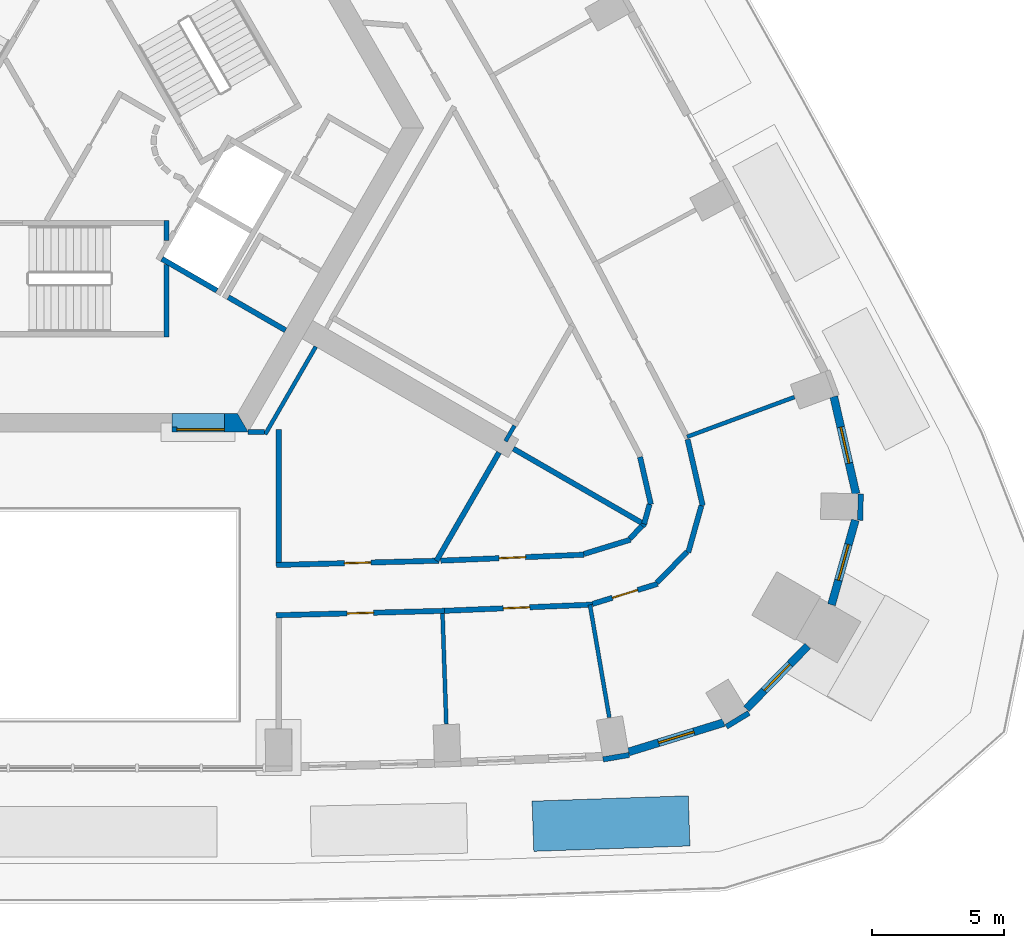
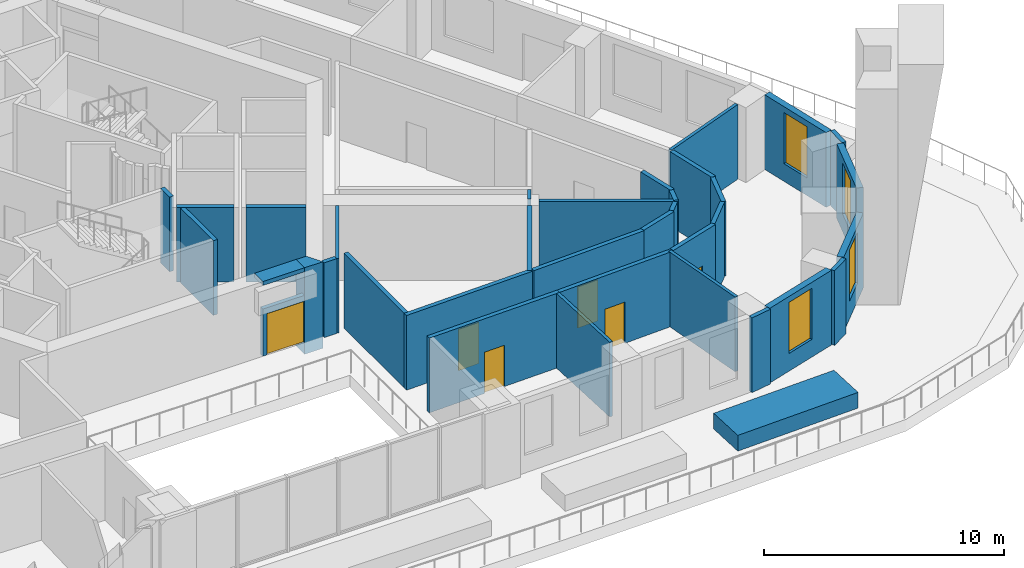
# One storey, part 6 of 13: 36 walls, 6 doors, 4 windows, 10 openings.
"""IFC4 building model written with IfcOpenShell, lengths in metres."""

from ifc_helpers import new_model, si_unit, direction, frame, frame_2d, origin, place, context, subcontext, project, spatial, polyline, rectangle, outline, extrude, material, layer, layer_set, type_object, element, fill, save


model = new_model("IFC4")

# Units and contexts
model_context = context("Model", 3, precision=1e-05, world=origin(), true_north=direction((0.0, 1.0)))
body_context = subcontext(model_context, "Body", "Model", "MODEL_VIEW")
ifc_project = project(units=[si_unit("LENGTHUNIT", "METRE"), si_unit("AREAUNIT", "SQUARE_METRE"), si_unit("VOLUMEUNIT", "CUBIC_METRE"), si_unit("PLANEANGLEUNIT", "RADIAN"), si_unit("MASSUNIT", "GRAM", prefix="KILO")], contexts=[model_context])

# Site, building, storey
site_placement = place(None, origin())
site = spatial("IfcSite", under=ifc_project, at=site_placement, CompositionType="ELEMENT")
building_placement = place(site_placement, origin())
building = spatial("IfcBuilding", under=site, at=building_placement, Name="Entoto Arch Interchange Tower", CompositionType="ELEMENT")
storey_placement = place(building_placement, frame((0.0, 0.0, 189.800048828125)))
storey = spatial("IfcBuildingStorey", under=building, at=storey_placement, Name="L42", CompositionType="ELEMENT", Elevation=189.800048828125)

# Wall, opening, door
ifc_material_1 = material(Name="Reinforced concrete C40/50", Category="concrete")
ifc_layer_1 = layer(ifc_material_1, 0.199951171875)
ifc_layer_set_1 = layer_set([ifc_layer_1], Name="Reinforced concrete C40/50")
wall_type_1 = type_object("IfcWallType", Name="CORE GAP INFILL WALL", PredefinedType="PARTITIONING", material=ifc_layer_set_1)
wall_1_placement = place(storey_placement, frame((3.75, -8.89990234375, 0.0), z_axis=(0.0, 0.0, 1.0), x_axis=(1.0, 0.0, 0.0)))
wall_1 = element("IfcWall", 1, at=wall_1_placement, inside=storey, type_object=wall_type_1, Name="wall:L42:gap1", PredefinedType="PARTITIONING", context=body_context, shape_type="SweptSolid", body=[
    extrude(rectangle(XDim=2.0, YDim=0.199951171875, at=frame_2d((1.0, 0.0))), origin(), (0.0, 0.0, 1.0), 2.39990234375),
])
opening_1_placement = place(wall_1_placement, frame((0.18994140625, 0.0, 0.0)))
opening_1 = element("IfcOpeningElement", 2, at=opening_1_placement, cuts=wall_1, Name="Opening L42-D91", PredefinedType="OPENING", context=body_context, shape_type="SweptSolid", body=[
    extrude(rectangle(XDim=1.800048828125, YDim=2.10009765625, at=frame_2d((0.89990234375, 1.050048828125))), frame((0.0, 0.10986328125, 0.0), z_axis=(0.0, -1.0, 0.0), x_axis=(1.0, 0.0, 0.0)), (0.0, 0.0, 1.0), 0.219970703125),
])
ifc_material_2 = material(Name="Fire-rated Steel S235 door and frame", Category="steel")
door_type_1 = type_object("IfcDoorType", Name="DOOR FD-18 1800x2100", OperationType="DOUBLE_DOOR_SINGLE_SWING", PredefinedType="DOOR", material=ifc_material_2)
door_1_placement = place(opening_1_placement, origin())
door_1 = element("IfcDoor", 3, at=door_1_placement, inside=storey, type_object=door_type_1, Name="door:L42:gap1", OperationType="DOUBLE_DOOR_SINGLE_SWING", OverallHeight=2.10009765625, OverallWidth=1.800048828125, PredefinedType="DOOR", context=body_context, shape_type="SweptSolid", body=[
    extrude(rectangle(XDim=1.800048828125, YDim=2.10009765625, at=frame_2d((0.89990234375, 1.050048828125))), frame((0.0, 0.02490234375, 0.0), z_axis=(0.0, -1.0, 0.0), x_axis=(1.0, 0.0, 0.0)), (0.0, 0.0, 1.0), 0.050048828125),
])
fill(opening_1, door_1)

# Walls
ifc_material_3 = material(Name="Concrete C50/60", Category="concrete")
ifc_layer_2 = layer(ifc_material_3, 0.699951171875)
ifc_layer_set_2 = layer_set([ifc_layer_2], Name="Concrete C50/60")
wall_type_2 = type_object("IfcWallType", Name="Core wall 700 C50/60", PredefinedType="SHEAR", material=ifc_layer_set_2)
wall_2_placement = place(storey_placement, frame((0.0, 0.0, -0.60009765625)))
element("IfcWall", 4, at=wall_2_placement, inside=storey, type_object=wall_type_2, Name="Core wall S L42", PredefinedType="SHEAR", context=body_context, shape_type="SweptSolid", body=[
    extrude(outline(polyline([(5.75, -8.300048828125), (5.75, -9.0), (6.639892578125, -9.0), (6.235107421875, -8.300048828125), (5.75, -8.300048828125)])), origin(), (0.0, 0.0, 1.0), 4.400146484375),
])
wall_3_placement = place(storey_placement, frame((0.0, 0.0, 3.599853515625)))
element("IfcWall", 5, at=wall_3_placement, inside=storey, type_object=wall_type_2, Name="Core wall lintel S L42", PredefinedType="SHEAR", context=body_context, shape_type="SweptSolid", body=[
    extrude(outline(polyline([(5.75, -9.0), (5.75, -8.300048828125), (3.75, -8.300048828125), (3.75, -9.0), (5.75, -9.0)])), origin(), (0.0, 0.0, 1.0), 0.2001953125),
])
ifc_material_4 = material(Name="Concrete C40/50", Category="concrete")
ifc_layer_3 = layer(ifc_material_4, 0.199951171875)
ifc_layer_set_3 = layer_set([ifc_layer_3], Name="Concrete C40/50")
wall_type_3 = type_object("IfcWallType", Name="LIFT SHAFT WALL 200", PredefinedType="STANDARD", material=ifc_layer_set_3)
wall_4_placement = place(storey_placement, frame((3.376953125, -2.451904296875, 0.0), z_axis=(0.0, 0.0, 1.0), x_axis=(0.865955154139, -0.50012165622, 0.0)))
element("IfcWall", 6, at=wall_4_placement, inside=storey, type_object=wall_type_3, Name="Shaft wall SE1 cross 1", PredefinedType="STANDARD", context=body_context, shape_type="SweptSolid", body=[
    extrude(rectangle(XDim=2.39990234375, YDim=0.199951171875, at=frame_2d((1.199951171875, 0.0))), origin(), (0.0, 0.0, 1.0), 3.800048828125),
])
ifc_material_5 = material(Name="Gypsum board partition on steel studs", Category="steel")
ifc_layer_4 = layer(ifc_material_5, 0.14990234375)
ifc_layer_set_4 = layer_set([ifc_layer_4], Name="Gypsum board partition on steel studs")
wall_type_4 = type_object("IfcWallType", Name="PARTITION 150", PredefinedType="PARTITIONING", material=ifc_layer_set_4)
wall_5_placement = place(storey_placement, frame((7.282958984375, -9.0859375, 0.0), z_axis=(0.0, 0.0, 1.0), x_axis=(0.499843936326, 0.866115488442, 0.0)))
element("IfcWall", 7, at=wall_5_placement, inside=storey, type_object=wall_type_4, Name="wall:L42:p080", PredefinedType="PARTITIONING", context=body_context, shape_type="SweptSolid", body=[
    extrude(rectangle(XDim=3.827392578125, YDim=0.14990234375, at=frame_2d((1.91357421875, 0.0))), origin(), (0.0, 0.0, 1.0), 3.800048828125),
])
wall_6_placement = place(storey_placement, frame((16.7099609375, -8.758056640625, 0.0), z_axis=(0.0, 0.0, 1.0), x_axis=(-0.500013496215, -0.866017611601, 0.0)))
element("IfcWall", 8, at=wall_6_placement, inside=storey, type_object=wall_type_4, Name="wall:L42:p105", PredefinedType="PARTITIONING", context=body_context, shape_type="SweptSolid", body=[
    extrude(rectangle(XDim=0.677734375, YDim=0.14990234375, at=frame_2d((0.3388671875, 0.0))), origin(), (0.0, 0.0, 1.0), 3.800048828125),
])
wall_7_placement = place(storey_placement, frame((13.988037109375, -15.862060546875, 0.0), z_axis=(0.0, 0.0, 1.0), x_axis=(0.033931247732, -0.999424169423, 0.0)))
element("IfcWall", 9, at=wall_7_placement, inside=storey, type_object=wall_type_4, Name="wall:L42:p108", PredefinedType="PARTITIONING", context=body_context, shape_type="SweptSolid", body=[
    extrude(rectangle(XDim=4.180419921875, YDim=0.14990234375, at=frame_2d((2.09033203125, 0.0))), origin(), (0.0, 0.0, 1.0), 3.800048828125),
])
wall_8_placement = place(storey_placement, frame((19.56103515625, -15.529052734375, 0.0), z_axis=(0.0, 0.0, 1.0), x_axis=(0.169546150064, -0.98552224886, 0.0)))
element("IfcWall", 10, at=wall_8_placement, inside=storey, type_object=wall_type_4, Name="wall:L42:p109", PredefinedType="PARTITIONING", context=body_context, shape_type="SweptSolid", body=[
    extrude(rectangle(XDim=4.32861328125, YDim=0.14990234375, at=frame_2d((2.164306640625, 0.0))), origin(), (0.0, 0.0, 1.0), 3.800048828125),
])
wall_9_placement = place(storey_placement, frame((23.23095703125, -9.181884765625, 0.0), z_axis=(0.0, 0.0, 1.0), x_axis=(0.937835784628, 0.34707930084, 0.0)))
element("IfcWall", 11, at=wall_9_placement, inside=storey, type_object=wall_type_4, Name="wall:L42:p110", PredefinedType="PARTITIONING", context=body_context, shape_type="SweptSolid", body=[
    extrude(rectangle(XDim=4.330322265625, YDim=0.14990234375, at=frame_2d((2.1650390625, 0.0))), origin(), (0.0, 0.0, 1.0), 3.800048828125),
])

# Wall, opening, door
ifc_layer_5 = layer(ifc_material_5, 0.199951171875)
ifc_layer_set_5 = layer_set([ifc_layer_5], Name="Gypsum board partition on steel studs")
wall_type_5 = type_object("IfcWallType", Name="PARTITION 200", PredefinedType="PARTITIONING", material=ifc_layer_set_5)
wall_10_placement = place(storey_placement, frame((7.699951171875, -14.027099609375, 0.0), z_axis=(0.0, 0.0, 1.0), x_axis=(0.999653919353, 0.026306682088, 0.0)))
wall_10 = element("IfcWall", 12, at=wall_10_placement, inside=storey, type_object=wall_type_5, Name="wall:L42:p017", PredefinedType="PARTITIONING", context=body_context, shape_type="SweptSolid", body=[
    extrude(rectangle(XDim=6.162353515625, YDim=0.199951171875, at=frame_2d((3.0810546875, 0.0))), origin(), (0.0, 0.0, 1.0), 3.800048828125),
])
opening_2_placement = place(wall_10_placement, frame((2.5810546875, 0.0, 0.0)))
opening_2 = element("IfcOpeningElement", 13, at=opening_2_placement, cuts=wall_10, Name="Opening L42-D17", PredefinedType="OPENING", context=body_context, shape_type="SweptSolid", body=[
    extrude(rectangle(XDim=1.0, YDim=2.10009765625, at=frame_2d((0.5, 1.050048828125))), frame((0.0, 0.10986328125, 0.0), z_axis=(0.0, -1.0, 0.0), x_axis=(1.0, 0.0, 0.0)), (0.0, 0.0, 1.0), 0.219970703125),
])
ifc_material_6 = material(Name="Timber door leaf in Steel S235 frame", Category="steel")
door_type_2 = type_object("IfcDoorType", Name="DOOR DS-10 1000x2100", OperationType="SINGLE_SWING_LEFT", PredefinedType="DOOR", material=ifc_material_6)
door_2_placement = place(opening_2_placement, origin())
door_2 = element("IfcDoor", 14, at=door_2_placement, inside=storey, type_object=door_type_2, Name="door:L42:17", OperationType="SINGLE_SWING_LEFT", OverallHeight=2.10009765625, OverallWidth=1.0, PredefinedType="DOOR", context=body_context, shape_type="SweptSolid", body=[
    extrude(rectangle(XDim=1.0, YDim=2.10009765625, at=frame_2d((0.5, 1.050048828125))), frame((0.0, 0.02490234375, 0.0), z_axis=(0.0, -1.0, 0.0), x_axis=(1.0, 0.0, 0.0)), (0.0, 0.0, 1.0), 0.050048828125),
])
fill(opening_2, door_2)

wall_11_placement = place(storey_placement, frame((13.9189453125, -13.863037109375, 0.0), z_axis=(0.0, 0.0, 1.0), x_axis=(0.999130261307, 0.041697972867, 0.0)))
wall_11 = element("IfcWall", 15, at=wall_11_placement, inside=storey, type_object=wall_type_5, Name="wall:L42:p020", PredefinedType="PARTITIONING", context=body_context, shape_type="SweptSolid", body=[
    extrude(rectangle(XDim=5.421630859375, YDim=0.199951171875, at=frame_2d((2.7109375, 0.0))), origin(), (0.0, 0.0, 1.0), 3.800048828125),
])
opening_3_placement = place(wall_11_placement, frame((2.2109375, 0.0, 0.0)))
opening_3 = element("IfcOpeningElement", 16, at=opening_3_placement, cuts=wall_11, Name="Opening L42-D19", PredefinedType="OPENING", context=body_context, shape_type="SweptSolid", body=[
    extrude(rectangle(XDim=1.0, YDim=2.10009765625, at=frame_2d((0.5, 1.050048828125))), frame((0.0, 0.10986328125, 0.0), z_axis=(0.0, -1.0, 0.0), x_axis=(1.0, 0.0, 0.0)), (0.0, 0.0, 1.0), 0.219970703125),
])
door_3_placement = place(opening_3_placement, origin())
door_3 = element("IfcDoor", 17, at=door_3_placement, inside=storey, type_object=door_type_2, Name="door:L42:19", OperationType="SINGLE_SWING_LEFT", OverallHeight=2.10009765625, OverallWidth=1.0, PredefinedType="DOOR", context=body_context, shape_type="SweptSolid", body=[
    extrude(rectangle(XDim=1.0, YDim=2.10009765625, at=frame_2d((0.5, 1.050048828125))), frame((0.0, 0.02490234375, 0.0), z_axis=(0.0, -1.0, 0.0), x_axis=(1.0, 0.0, 0.0)), (0.0, 0.0, 1.0), 0.050048828125),
])
fill(opening_3, door_3)

# Walls
wall_12_placement = place(storey_placement, frame((19.33203125, -13.611083984375, 0.0), z_axis=(0.0, 0.0, 1.0), x_axis=(0.955790442908, 0.294048685161, 0.0)))
element("IfcWall", 18, at=wall_12_placement, inside=storey, type_object=wall_type_5, Name="wall:L42:p021", PredefinedType="PARTITIONING", context=body_context, shape_type="SweptSolid", body=[
    extrude(rectangle(XDim=1.846435546875, YDim=0.199951171875, at=frame_2d((0.92333984375, 0.0))), origin(), (0.0, 0.0, 1.0), 3.800048828125),
])
wall_13_placement = place(storey_placement, frame((21.072021484375, -13.02587890625, 0.0), z_axis=(0.0, 0.0, 1.0), x_axis=(0.697252405765, 0.716825698936, 0.0)))
element("IfcWall", 19, at=wall_13_placement, inside=storey, type_object=wall_type_5, Name="wall:L42:p022", PredefinedType="PARTITIONING", context=body_context, shape_type="SweptSolid", body=[
    extrude(rectangle(XDim=0.6611328125, YDim=0.199951171875, at=frame_2d((0.33056640625, 0.0))), origin(), (0.0, 0.0, 1.0), 3.800048828125),
])
wall_14_placement = place(storey_placement, frame((21.60791015625, -12.47607421875, 0.0), z_axis=(0.0, 0.0, 1.0), x_axis=(0.270277025631, 0.962782597171, 0.0)))
element("IfcWall", 20, at=wall_14_placement, inside=storey, type_object=wall_type_5, Name="wall:L42:p023", PredefinedType="PARTITIONING", context=body_context, shape_type="SweptSolid", body=[
    extrude(rectangle(XDim=0.76953125, YDim=0.199951171875, at=frame_2d((0.384765625, 0.0))), origin(), (0.0, 0.0, 1.0), 3.800048828125),
])
wall_15_placement = place(storey_placement, frame((21.865966796875, -11.737060546875, 0.0), z_axis=(0.0, 0.0, 1.0), x_axis=(-0.222871656966, 0.974847795567, 0.0)))
element("IfcWall", 21, at=wall_15_placement, inside=storey, type_object=wall_type_5, Name="wall:L42:p024", PredefinedType="PARTITIONING", context=body_context, shape_type="SweptSolid", body=[
    extrude(rectangle(XDim=1.839111328125, YDim=0.199951171875, at=frame_2d((0.91943359375, 0.0))), origin(), (0.0, 0.0, 1.0), 3.800048828125),
])

# Wall, opening, door
wall_16_placement = place(storey_placement, frame((14.05908203125, -15.760009765625, 0.0), z_axis=(0.0, 0.0, 1.0), x_axis=(-0.999651338269, -0.026404580978, 0.0)))
wall_16 = element("IfcWall", 22, at=wall_16_placement, inside=storey, type_object=wall_type_5, Name="wall:L42:p035", PredefinedType="PARTITIONING", context=body_context, shape_type="SweptSolid", body=[
    extrude(rectangle(XDim=6.361328125, YDim=0.199951171875, at=frame_2d((3.1806640625, 0.0))), origin(), (0.0, 0.0, 1.0), 3.800048828125),
])
opening_4_placement = place(wall_16_placement, frame((2.680908203125, 0.0, 0.0)))
opening_4 = element("IfcOpeningElement", 23, at=opening_4_placement, cuts=wall_16, Name="Opening L42-D01", PredefinedType="OPENING", context=body_context, shape_type="SweptSolid", body=[
    extrude(rectangle(XDim=1.0, YDim=2.10009765625, at=frame_2d((0.5, 1.050048828125))), frame((0.0, 0.10986328125, 0.0), z_axis=(0.0, -1.0, 0.0), x_axis=(1.0, 0.0, 0.0)), (0.0, 0.0, 1.0), 0.219970703125),
])
door_4_placement = place(opening_4_placement, origin())
door_4 = element("IfcDoor", 24, at=door_4_placement, inside=storey, type_object=door_type_2, Name="door:L42:01", OperationType="SINGLE_SWING_LEFT", OverallHeight=2.10009765625, OverallWidth=1.0, PredefinedType="DOOR", context=body_context, shape_type="SweptSolid", body=[
    extrude(rectangle(XDim=1.0, YDim=2.10009765625, at=frame_2d((0.5, 1.050048828125))), frame((0.0, 0.02490234375, 0.0), z_axis=(0.0, -1.0, 0.0), x_axis=(1.0, 0.0, 0.0)), (0.0, 0.0, 1.0), 0.050048828125),
])
fill(opening_4, door_4)

wall_17_placement = place(storey_placement, frame((19.660888671875, -15.52490234375, 0.0), z_axis=(0.0, 0.0, 1.0), x_axis=(-0.999127706659, -0.041759140148, 0.0)))
wall_17 = element("IfcWall", 25, at=wall_17_placement, inside=storey, type_object=wall_type_5, Name="wall:L42:p036", PredefinedType="PARTITIONING", context=body_context, shape_type="SweptSolid", body=[
    extrude(rectangle(XDim=5.606689453125, YDim=0.199951171875, at=frame_2d((2.80322265625, 0.0))), origin(), (0.0, 0.0, 1.0), 3.800048828125),
])
opening_5_placement = place(wall_17_placement, frame((2.3779296875, 0.0, 0.0)))
opening_5 = element("IfcOpeningElement", 26, at=opening_5_placement, cuts=wall_17, Name="Opening L42-D02", PredefinedType="OPENING", context=body_context, shape_type="SweptSolid", body=[
    extrude(rectangle(XDim=1.0, YDim=2.10009765625, at=frame_2d((0.5, 1.050048828125))), frame((0.0, 0.10986328125, 0.0), z_axis=(0.0, -1.0, 0.0), x_axis=(1.0, 0.0, 0.0)), (0.0, 0.0, 1.0), 0.219970703125),
])
door_5_placement = place(opening_5_placement, origin())
door_5 = element("IfcDoor", 27, at=door_5_placement, inside=storey, type_object=door_type_2, Name="door:L42:02", OperationType="SINGLE_SWING_LEFT", OverallHeight=2.10009765625, OverallWidth=1.0, PredefinedType="DOOR", context=body_context, shape_type="SweptSolid", body=[
    extrude(rectangle(XDim=1.0, YDim=2.10009765625, at=frame_2d((0.5, 1.050048828125))), frame((0.0, 0.02490234375, 0.0), z_axis=(0.0, -1.0, 0.0), x_axis=(1.0, 0.0, 0.0)), (0.0, 0.0, 1.0), 0.050048828125),
])
fill(opening_5, door_5)

# Walls
wall_18_placement = place(storey_placement, frame((23.2529296875, -9.279052734375, 0.0), z_axis=(0.0, 0.0, 1.0), x_axis=(0.222909903746, -0.974839050722, 0.0)))
element("IfcWall", 28, at=wall_18_placement, inside=storey, type_object=wall_type_5, Name="wall:L42:p037", PredefinedType="PARTITIONING", context=body_context, shape_type="SweptSolid", body=[
    extrude(rectangle(XDim=2.570556640625, YDim=0.199951171875, at=frame_2d((1.28515625, 0.0))), origin(), (0.0, 0.0, 1.0), 3.800048828125),
])
wall_19_placement = place(storey_placement, frame((23.77587890625, -11.783935546875, 0.0), z_axis=(0.0, 0.0, 1.0), x_axis=(-0.270522287318, -0.962713712411, 0.0)))
element("IfcWall", 29, at=wall_19_placement, inside=storey, type_object=wall_type_5, Name="wall:L42:p038", PredefinedType="PARTITIONING", context=body_context, shape_type="SweptSolid", body=[
    extrude(rectangle(XDim=1.83642578125, YDim=0.199951171875, at=frame_2d((0.918212890625, 0.0))), origin(), (0.0, 0.0, 1.0), 3.800048828125),
])
wall_20_placement = place(storey_placement, frame((23.236083984375, -13.528076171875, 0.0), z_axis=(0.0, 0.0, 1.0), x_axis=(-0.698551276451, -0.715560000397, 0.0)))
element("IfcWall", 30, at=wall_20_placement, inside=storey, type_object=wall_type_5, Name="wall:L42:p039", PredefinedType="PARTITIONING", context=body_context, shape_type="SweptSolid", body=[
    extrude(rectangle(XDim=1.63623046875, YDim=0.199951171875, at=frame_2d((0.818115234375, 0.0))), origin(), (0.0, 0.0, 1.0), 3.800048828125),
])

# Wall, opening, door
wall_21_placement = place(storey_placement, frame((22.118896484375, -14.740966796875, 0.0), z_axis=(0.0, 0.0, 1.0), x_axis=(-0.955612889251, -0.294625195625, 0.0)))
wall_21 = element("IfcWall", 31, at=wall_21_placement, inside=storey, type_object=wall_type_5, Name="wall:L42:p040", PredefinedType="PARTITIONING", context=body_context, shape_type="SweptSolid", body=[
    extrude(rectangle(XDim=2.576171875, YDim=0.199951171875, at=frame_2d((1.2880859375, 0.0))), origin(), (0.0, 0.0, 1.0), 3.800048828125),
])
opening_6_placement = place(wall_21_placement, frame((0.7880859375, 0.0, 0.0)))
opening_6 = element("IfcOpeningElement", 32, at=opening_6_placement, cuts=wall_21, Name="Opening L42-D03", PredefinedType="OPENING", context=body_context, shape_type="SweptSolid", body=[
    extrude(rectangle(XDim=1.0, YDim=2.10009765625, at=frame_2d((0.5, 1.050048828125))), frame((0.0, 0.10986328125, 0.0), z_axis=(0.0, -1.0, 0.0), x_axis=(1.0, 0.0, 0.0)), (0.0, 0.0, 1.0), 0.219970703125),
])
door_6_placement = place(opening_6_placement, origin())
door_6 = element("IfcDoor", 33, at=door_6_placement, inside=storey, type_object=door_type_2, Name="door:L42:03", OperationType="SINGLE_SWING_LEFT", OverallHeight=2.10009765625, OverallWidth=1.0, PredefinedType="DOOR", context=body_context, shape_type="SweptSolid", body=[
    extrude(rectangle(XDim=1.0, YDim=2.10009765625, at=frame_2d((0.5, 1.050048828125))), frame((0.0, 0.02490234375, 0.0), z_axis=(0.0, -1.0, 0.0), x_axis=(1.0, 0.0, 0.0)), (0.0, 0.0, 1.0), 0.050048828125),
])
fill(opening_6, door_6)

# Walls
wall_22_placement = place(storey_placement, frame((8.052978515625, -5.152099609375, 0.0), z_axis=(0.0, 0.0, 1.0), x_axis=(-0.866022959057, 0.500004234368, 0.0)))
element("IfcWall", 34, at=wall_22_placement, inside=storey, type_object=wall_type_5, Name="wall:L42:p071", PredefinedType="PARTITIONING", context=body_context, shape_type="SweptSolid", body=[
    extrude(rectangle(XDim=2.5, YDim=0.199951171875, at=frame_2d((1.25, 0.0))), origin(), (0.0, 0.0, 1.0), 3.800048828125),
])
wall_23_placement = place(storey_placement, frame((6.64111328125, -8.9990234375, 0.0), z_axis=(0.0, 0.0, 1.0), x_axis=(1.0, 0.0, 0.0)))
element("IfcWall", 35, at=wall_23_placement, inside=storey, type_object=wall_type_5, Name="wall:L42:p079", PredefinedType="PARTITIONING", context=body_context, shape_type="SweptSolid", body=[
    extrude(rectangle(XDim=0.616943359375, YDim=0.199951171875, at=frame_2d((0.30859375, 0.0))), origin(), (0.0, 0.0, 1.0), 3.800048828125),
])
wall_24_placement = place(storey_placement, frame((7.800048828125, -8.89892578125, 0.0), z_axis=(0.0, 0.0, 1.0), x_axis=(0.0, -1.0, 0.0)))
element("IfcWall", 36, at=wall_24_placement, inside=storey, type_object=wall_type_5, Name="wall:L42:p094", PredefinedType="PARTITIONING", context=body_context, shape_type="SweptSolid", body=[
    extrude(rectangle(XDim=5.025146484375, YDim=0.199951171875, at=frame_2d((2.5126953125, 0.0))), origin(), (0.0, 0.0, 1.0), 3.800048828125),
])
wall_25_placement = place(storey_placement, frame((16.125, -9.77099609375, 0.0), z_axis=(0.0, 0.0, 1.0), x_axis=(-0.500030759312, -0.866007644159, 0.0)))
element("IfcWall", 37, at=wall_25_placement, inside=storey, type_object=wall_type_5, Name="wall:L42:p104", PredefinedType="PARTITIONING", context=body_context, shape_type="SweptSolid", body=[
    extrude(rectangle(XDim=4.729736328125, YDim=0.199951171875, at=frame_2d((2.36474609375, 0.0))), origin(), (0.0, 0.0, 1.0), 3.800048828125),
])
wall_26_placement = place(storey_placement, frame((16.6669921875, -9.631103515625, 0.0), z_axis=(0.0, 0.0, 1.0), x_axis=(0.866032775405, -0.499987231761, 0.0)))
element("IfcWall", 38, at=wall_26_placement, inside=storey, type_object=wall_type_5, Name="wall:L42:p107", PredefinedType="PARTITIONING", context=body_context, shape_type="SweptSolid", body=[
    extrude(rectangle(XDim=5.800048828125, YDim=0.199951171875, at=frame_2d((2.89990234375, 0.0))), origin(), (0.0, 0.0, 1.0), 3.800048828125),
])
ifc_material_7 = material(Name="Board-marked precast concrete C50/60", Category="concrete")
ifc_layer_6 = layer(ifc_material_7, 1.89990234375)
ifc_layer_set_6 = layer_set([ifc_layer_6], Name="Board-marked precast concrete C50/60")
wall_type_6 = type_object("IfcWallType", Name="PLANTER RC 1900 Olea europaea subsp. cuspidata", PredefinedType="STANDARD", material=ifc_layer_set_6)
wall_27_placement = place(storey_placement, frame((17.406005859375, -23.905029296875, 0.0), z_axis=(0.0, 0.0, 1.0), x_axis=(0.999408891177, 0.034378310558, 0.0)))
element("IfcWall", 39, at=wall_27_placement, inside=storey, type_object=wall_type_6, Name="Terrace planter S-05 L42", PredefinedType="STANDARD", context=body_context, shape_type="SweptSolid", body=[
    extrude(rectangle(XDim=5.908447265625, YDim=1.89990234375, at=frame_2d((2.9541015625, 0.0))), origin(), (0.0, 0.0, 1.0), 0.800048828125),
])
ifc_layer_7 = layer(ifc_material_4, 0.199951171875)
ifc_layer_set_7 = layer_set([ifc_layer_7], Name="Concrete C40/50")
wall_type_7 = type_object("IfcWallType", Name="STAIR ENCLOSURE WALL 200", PredefinedType="STANDARD", material=ifc_layer_set_7)
wall_28_placement = place(storey_placement, frame((3.550048828125, -2.6669921875, 0.0), z_axis=(0.0, 0.0, 1.0), x_axis=(0.0, -1.0, 0.0)))
element("IfcWall", 40, at=wall_28_placement, inside=storey, type_object=wall_type_7, Name="Stair wall ST-S far", PredefinedType="STANDARD", context=body_context, shape_type="SweptSolid", body=[
    extrude(rectangle(XDim=2.73291015625, YDim=0.199951171875, at=frame_2d((1.366455078125, 0.0))), origin(), (0.0, 0.0, 1.0), 3.800048828125),
])
wall_29_placement = place(storey_placement, frame((3.550048828125, -1.0, 0.0), z_axis=(0.0, 0.0, 1.0), x_axis=(0.0, -1.0, 0.0)))
element("IfcWall", 41, at=wall_29_placement, inside=storey, type_object=wall_type_7, Name="Stair wall ST-S far return", PredefinedType="STANDARD", context=body_context, shape_type="SweptSolid", body=[
    extrude(rectangle(XDim=0.7509765625, YDim=0.199951171875, at=frame_2d((0.37548828125, 0.0))), origin(), (0.0, 0.0, 1.0), 3.800048828125),
])

# Wall, opening, window
ifc_material_8 = material(Name="Welded tuff (ignimbrite) cladding, warm buff", Category="masonry")
ifc_layer_8 = layer(ifc_material_8, 0.300048828125)
ifc_layer_set_8 = layer_set([ifc_layer_8], Name="Welded tuff (ignimbrite) cladding, warm buff")
wall_type_8 = type_object("IfcWallType", Name="STONE INFILL WALL 300", PredefinedType="STANDARD", material=ifc_layer_set_8)
wall_30_placement = place(storey_placement, frame((21.02392578125, -21.094970703125, 0.0), z_axis=(0.0, 0.0, 1.0), x_axis=(0.955692086233, 0.29436819854, 0.0)))
wall_30 = element("IfcWall", 42, at=wall_30_placement, inside=storey, type_object=wall_type_8, Name="Facade wall SE-01 L42", PredefinedType="STANDARD", context=body_context, shape_type="SweptSolid", body=[
    extrude(rectangle(XDim=3.76708984375, YDim=0.300048828125, at=frame_2d((1.883544921875, 0.0))), origin(), (0.0, 0.0, 1.0), 3.800048828125),
])
opening_7_placement = place(wall_30_placement, frame((1.18310546875, 0.0, 0.89990234375)))
opening_7 = element("IfcOpeningElement", 43, at=opening_7_placement, cuts=wall_30, Name="Opening WO-B", PredefinedType="OPENING", context=body_context, shape_type="SweptSolid", body=[
    extrude(rectangle(XDim=1.39990234375, YDim=2.60009765625, at=frame_2d((0.699951171875, 1.300048828125))), frame((0.0, 0.16015625, 0.0), z_axis=(0.0, -1.0, 0.0), x_axis=(1.0, 0.0, 0.0)), (0.0, 0.0, 1.0), 0.320068359375),
])
ifc_material_9 = material(Name="Clear glass, low-e double glazed", Category="glass")
window_type = type_object("IfcWindowType", Name="WINDOW WO-B 1400x2600", PartitioningType="DOUBLE_PANEL_VERTICAL", PredefinedType="WINDOW", material=ifc_material_9)
window_1_placement = place(opening_7_placement, origin())
window_1 = element("IfcWindow", 44, at=window_1_placement, inside=storey, type_object=window_type, Name="Window WO-B SE-01 L42", OverallHeight=2.60009765625, OverallWidth=1.39990234375, PartitioningType="SINGLE_PANEL", PredefinedType="WINDOW", context=body_context, shape_type="SweptSolid", body=[
    extrude(rectangle(XDim=1.39990234375, YDim=2.60009765625, at=frame_2d((0.699951171875, 1.300048828125))), frame((0.0, 0.030029296875, 0.0), z_axis=(0.0, -1.0, 0.0), x_axis=(1.0, 0.0, 0.0)), (0.0, 0.0, 1.0), 0.06005859375),
])
fill(opening_7, window_1)

wall_31_placement = place(storey_placement, frame((25.47607421875, -19.466064453125, 0.0), z_axis=(0.0, 0.0, 1.0), x_axis=(0.698311919602, 0.71579358962, 0.0)))
wall_31 = element("IfcWall", 45, at=wall_31_placement, inside=storey, type_object=wall_type_8, Name="Facade wall SE-02 L42", PredefinedType="STANDARD", context=body_context, shape_type="SweptSolid", body=[
    extrude(rectangle(XDim=3.32373046875, YDim=0.300048828125, at=frame_2d((1.661865234375, 0.0))), origin(), (0.0, 0.0, 1.0), 3.800048828125),
])
opening_8_placement = place(wall_31_placement, frame((0.9619140625, 0.0, 0.89990234375)))
opening_8 = element("IfcOpeningElement", 46, at=opening_8_placement, cuts=wall_31, Name="Opening WO-B", PredefinedType="OPENING", context=body_context, shape_type="SweptSolid", body=[
    extrude(rectangle(XDim=1.39990234375, YDim=2.60009765625, at=frame_2d((0.699951171875, 1.300048828125))), frame((0.0, 0.16015625, 0.0), z_axis=(0.0, -1.0, 0.0), x_axis=(1.0, 0.0, 0.0)), (0.0, 0.0, 1.0), 0.320068359375),
])
window_2_placement = place(opening_8_placement, origin())
window_2 = element("IfcWindow", 47, at=window_2_placement, inside=storey, type_object=window_type, Name="Window WO-B SE-02 L42", OverallHeight=2.60009765625, OverallWidth=1.39990234375, PartitioningType="SINGLE_PANEL", PredefinedType="WINDOW", context=body_context, shape_type="SweptSolid", body=[
    extrude(rectangle(XDim=1.39990234375, YDim=2.60009765625, at=frame_2d((0.699951171875, 1.300048828125))), frame((0.0, 0.030029296875, 0.0), z_axis=(0.0, -1.0, 0.0), x_axis=(1.0, 0.0, 0.0)), (0.0, 0.0, 1.0), 0.06005859375),
])
fill(opening_8, window_2)

wall_32_placement = place(storey_placement, frame((28.696044921875, -15.529052734375, 0.0), z_axis=(0.0, 0.0, 1.0), x_axis=(0.270798765166, 0.962635979374, 0.0)))
wall_32 = element("IfcWall", 48, at=wall_32_placement, inside=storey, type_object=wall_type_8, Name="Facade wall SE-03 L42", PredefinedType="STANDARD", context=body_context, shape_type="SweptSolid", body=[
    extrude(rectangle(XDim=3.3232421875, YDim=0.300048828125, at=frame_2d((1.66162109375, 0.0))), origin(), (0.0, 0.0, 1.0), 3.800048828125),
])
opening_9_placement = place(wall_32_placement, frame((0.9619140625, 0.0, 0.89990234375)))
opening_9 = element("IfcOpeningElement", 49, at=opening_9_placement, cuts=wall_32, Name="Opening WO-B", PredefinedType="OPENING", context=body_context, shape_type="SweptSolid", body=[
    extrude(rectangle(XDim=1.39990234375, YDim=2.60009765625, at=frame_2d((0.699951171875, 1.300048828125))), frame((0.0, 0.16015625, 0.0), z_axis=(0.0, -1.0, 0.0), x_axis=(1.0, 0.0, 0.0)), (0.0, 0.0, 1.0), 0.320068359375),
])
window_3_placement = place(opening_9_placement, origin())
window_3 = element("IfcWindow", 50, at=window_3_placement, inside=storey, type_object=window_type, Name="Window WO-B SE-03 L42", OverallHeight=2.60009765625, OverallWidth=1.39990234375, PartitioningType="SINGLE_PANEL", PredefinedType="WINDOW", context=body_context, shape_type="SweptSolid", body=[
    extrude(rectangle(XDim=1.39990234375, YDim=2.60009765625, at=frame_2d((0.699951171875, 1.300048828125))), frame((0.0, 0.030029296875, 0.0), z_axis=(0.0, -1.0, 0.0), x_axis=(1.0, 0.0, 0.0)), (0.0, 0.0, 1.0), 0.06005859375),
])
fill(opening_9, window_3)

wall_33_placement = place(storey_placement, frame((29.62109375, -11.33203125, 0.0), z_axis=(0.0, 0.0, 1.0), x_axis=(-0.223013094864, 0.974815448954, 0.0)))
wall_33 = element("IfcWall", 51, at=wall_33_placement, inside=storey, type_object=wall_type_8, Name="Facade wall SE-04 L42", PredefinedType="STANDARD", context=body_context, shape_type="SweptSolid", body=[
    extrude(rectangle(XDim=3.76708984375, YDim=0.300048828125, at=frame_2d((1.883544921875, 0.0))), origin(), (0.0, 0.0, 1.0), 3.800048828125),
])
opening_10_placement = place(wall_33_placement, frame((1.18310546875, 0.0, 0.89990234375)))
opening_10 = element("IfcOpeningElement", 52, at=opening_10_placement, cuts=wall_33, Name="Opening WO-B", PredefinedType="OPENING", context=body_context, shape_type="SweptSolid", body=[
    extrude(rectangle(XDim=1.39990234375, YDim=2.60009765625, at=frame_2d((0.699951171875, 1.300048828125))), frame((0.0, 0.16015625, 0.0), z_axis=(0.0, -1.0, 0.0), x_axis=(1.0, 0.0, 0.0)), (0.0, 0.0, 1.0), 0.320068359375),
])
window_4_placement = place(opening_10_placement, origin())
window_4 = element("IfcWindow", 53, at=window_4_placement, inside=storey, type_object=window_type, Name="Window WO-B SE-04 L42", OverallHeight=2.60009765625, OverallWidth=1.39990234375, PartitioningType="SINGLE_PANEL", PredefinedType="WINDOW", context=body_context, shape_type="SweptSolid", body=[
    extrude(rectangle(XDim=1.39990234375, YDim=2.60009765625, at=frame_2d((0.699951171875, 1.300048828125))), frame((0.0, 0.030029296875, 0.0), z_axis=(0.0, -1.0, 0.0), x_axis=(1.0, 0.0, 0.0)), (0.0, 0.0, 1.0), 0.06005859375),
])
fill(opening_10, window_4)

# Walls
ifc_layer_9 = layer(ifc_material_8, 0.199951171875)
ifc_layer_set_9 = layer_set([ifc_layer_9], Name="Welded tuff (ignimbrite) cladding, warm buff")
wall_type_9 = type_object("IfcWallType", Name="STONE PIER CLADDING 200", PredefinedType="STANDARD", material=ifc_layer_set_9)
wall_34_placement = place(storey_placement, frame((20.05908203125, -21.3779296875, 0.0), z_axis=(0.0, 0.0, 1.0), x_axis=(0.985631544579, 0.168909615862, 0.0)))
element("IfcWall", 54, at=wall_34_placement, inside=storey, type_object=wall_type_9, Name="Stone pier S06 L42", PredefinedType="STANDARD", context=body_context, shape_type="SweptSolid", body=[
    extrude(rectangle(XDim=1.000244140625, YDim=0.199951171875, at=frame_2d((0.5, 0.0))), origin(), (0.0, 0.0, 1.0), 3.800048828125),
])
wall_35_placement = place(storey_placement, frame((24.718017578125, -20.14208984375, 0.0), z_axis=(0.0, 0.0, 1.0), x_axis=(0.853679739553, 0.520798331677, 0.0)))
element("IfcWall", 55, at=wall_35_placement, inside=storey, type_object=wall_type_9, Name="Stone pier SE1 L42", PredefinedType="STANDARD", context=body_context, shape_type="SweptSolid", body=[
    extrude(rectangle(XDim=1.00048828125, YDim=0.199951171875, at=frame_2d((0.500244140625, 0.0))), origin(), (0.0, 0.0, 1.0), 3.800048828125),
])
wall_36_placement = place(storey_placement, frame((29.778076171875, -12.3349609375, 0.0), z_axis=(0.0, 0.0, 1.0), x_axis=(0.023942303888, 0.999713341956, 0.0)))
element("IfcWall", 56, at=wall_36_placement, inside=storey, type_object=wall_type_9, Name="Stone pier SE3 L42", PredefinedType="STANDARD", context=body_context, shape_type="SweptSolid", body=[
    extrude(rectangle(XDim=0.999267578125, YDim=0.199951171875, at=frame_2d((0.49951171875, 0.0))), origin(), (0.0, 0.0, 1.0), 3.800048828125),
])

save(model, "model.ifc")
